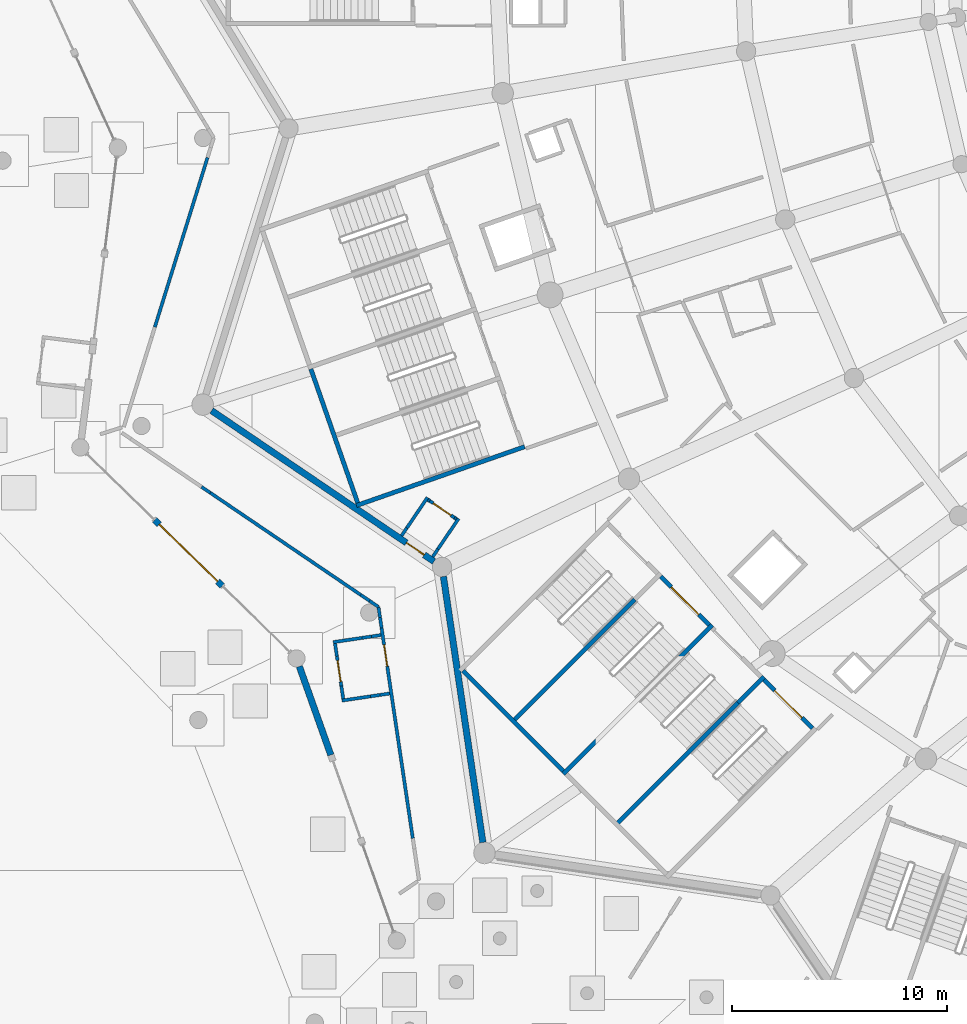
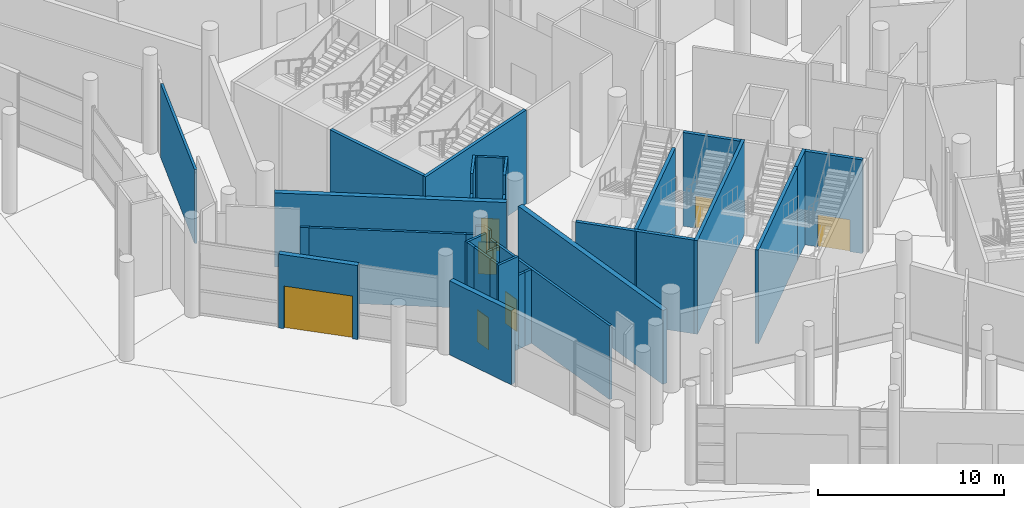
# One storey, part 101 of 255: 37 walls, 7 doors, 7 openings.
"""IFC4 building model written with IfcOpenShell, lengths in metres."""

import ifcopenshell
import ifcopenshell.guid

model = None  # the IFC model being written
_history = None  # IfcOwnerHistory: only IFC2X3 demands one
_inside = {}  # id of a spatial element -> (the spatial element, [elements in it])
_under = {}  # id of a project, library or spatial element -> (it, [spatial elements below it])
_declared = {}  # id of a project -> (the project, [libraries it declares])
_typed = {}  # id of a type object -> (the type object, [elements of that type])
_made_of = {}  # id of a material, layer set ... -> (it, [elements and type objects made of it])


def new_model(schema):
    """Start an empty IFC model of exactly this schema.

    Asked for "IFC4X3", IfcOpenShell would pick the latest addendum, in which some entities
    have other attributes; the version numbers below select the first issue.
    IFC2X3 requires an IfcOwnerHistory on every rooted entity: one is made here for all.
    """
    global model, _history
    if schema == "IFC4X3":
        model = ifcopenshell.file(schema_version=(4, 3, 0, 0))
    else:
        model = ifcopenshell.file(schema=schema)
    _inside.clear()
    _under.clear()
    _declared.clear()
    _typed.clear()
    _made_of.clear()
    _history = None
    if model.schema == "IFC2X3":
        org = make("IfcOrganization", Name="unknown")
        user = make(
            "IfcPersonAndOrganization",
            ThePerson=make("IfcPerson", FamilyName="unknown"),
            TheOrganization=org,
        )
        app = make(
            "IfcApplication",
            ApplicationDeveloper=org,
            Version="unknown",
            ApplicationFullName="unknown",
            ApplicationIdentifier="unknown",
        )
        _history = make(
            "IfcOwnerHistory",
            OwningUser=user,
            OwningApplication=app,
            ChangeAction="ADDED",
            CreationDate=0,
        )
    return model


def make(cls, **values):
    """One entity of the class cls with the attributes given. An attribute that is None is left unset."""
    return model.create_entity(
        cls, **{name: value for name, value in values.items() if value is not None}
    )


def rooted(cls, **values):
    """An entity with a GlobalId (a new one), such as an element, a storey or a relation."""
    return make(cls, GlobalId=ifcopenshell.guid.new(), OwnerHistory=_history, **values)


def si_unit(unit_type, name, prefix=None):
    """IfcSIUnit, for example si_unit("LENGTHUNIT", "METRE", prefix="MILLI")."""
    return make("IfcSIUnit", UnitType=unit_type, Prefix=prefix, Name=name)


def assignment(units):
    """IfcUnitAssignment: the units of a project."""
    return None if units is None else make("IfcUnitAssignment", Units=units)


def point(xyz):
    """IfcCartesianPoint."""
    return None if xyz is None else make("IfcCartesianPoint", Coordinates=xyz)


def direction(xyz):
    """IfcDirection."""
    return None if xyz is None else make("IfcDirection", DirectionRatios=xyz)


def frame(location, z_axis=None, x_axis=None):
    """IfcAxis2Placement3D, a coordinate frame: its origin and axes. An axis left out is left unset."""
    return make(
        "IfcAxis2Placement3D",
        Location=point(location),
        Axis=direction(z_axis),
        RefDirection=direction(x_axis),
    )


def frame_2d(location, x_axis=None):
    """IfcAxis2Placement2D, a coordinate frame in the plane: its origin and x axis."""
    return make(
        "IfcAxis2Placement2D", Location=point(location), RefDirection=direction(x_axis)
    )


def origin():
    """The frame at (0, 0, 0) with its axes left unset."""
    return frame((0.0, 0.0, 0.0))


def place(relative_to, where):
    """IfcLocalPlacement: puts the frame where relative to a parent placement (None: the world)."""
    return make(
        "IfcLocalPlacement", PlacementRelTo=relative_to, RelativePlacement=where
    )


def context(
    kind, dimensions, precision=None, world=None, true_north=None, identifier=None
):
    """IfcGeometricRepresentationContext, for example the 3D "Model" context."""
    return make(
        "IfcGeometricRepresentationContext",
        ContextIdentifier=identifier,
        ContextType=kind,
        CoordinateSpaceDimension=dimensions,
        Precision=precision,
        WorldCoordinateSystem=world,
        TrueNorth=true_north,
    )


def subcontext(parent, identifier, kind, view, scale=None):
    """IfcGeometricRepresentationSubContext, for example "Body" below "Model"."""
    return make(
        "IfcGeometricRepresentationSubContext",
        ContextIdentifier=identifier,
        ContextType=kind,
        ParentContext=parent,
        TargetScale=scale,
        TargetView=view,
    )


def project(units=None, contexts=None):
    """IfcProject with its units and contexts."""
    return rooted(
        "IfcProject",
        Name="project",
        RepresentationContexts=contexts,
        UnitsInContext=assignment(units),
    )


def spatial(cls, under=None, at=None, **own):
    """A site, building, storey or space (cls), placed at a placement, below another one or the project."""
    s = rooted(cls, ObjectPlacement=at, **own)
    if under is not None:
        _under.setdefault(under.id(), (under, []))[1].append(s)
    return s


def profile(cls, at=None, kind="AREA", **sizes):
    """A parametric profile (cls). Its sizes go by their IFC names, for example OverallWidth=200.0."""
    return make(cls, ProfileType=kind, Position=at, **sizes)


def rectangle(**sizes):
    """IfcRectangleProfileDef."""
    return profile("IfcRectangleProfileDef", **sizes)


def extrude(swept, where, along, depth):
    """IfcExtrudedAreaSolid: the profile swept, set in the frame where, extruded along a direction by depth."""
    return make(
        "IfcExtrudedAreaSolid",
        SweptArea=swept,
        Position=where,
        ExtrudedDirection=direction(along),
        Depth=depth,
    )


def shape(context_of_items, identifier, shape_type, items):
    """IfcShapeRepresentation: the items that make up one representation, for example the "Body"."""
    return make(
        "IfcShapeRepresentation",
        ContextOfItems=context_of_items,
        RepresentationIdentifier=identifier,
        RepresentationType=shape_type,
        Items=items,
    )


def material(Name=None, Category=None):
    """IfcMaterial."""
    return make("IfcMaterial", Name=Name, Category=Category)


def layer(
    of_material, thickness, ventilated=None, Name=None, Category=None, Priority=None
):
    """IfcMaterialLayer: one layer of a wall or slab, of a material (None: an air gap)."""
    return make(
        "IfcMaterialLayer",
        Material=of_material,
        LayerThickness=thickness,
        IsVentilated=ventilated,
        Name=Name,
        Category=Category,
        Priority=Priority,
    )


def layer_set(layers, Name=None):
    """IfcMaterialLayerSet."""
    return make("IfcMaterialLayerSet", MaterialLayers=layers, LayerSetName=Name)


def made_of(thing, what):
    """Note that an element or type object is made of a material, layer set ...; save() writes the relation."""
    if what is not None:
        _made_of.setdefault(what.id(), (what, []))[1].append(thing)
    return thing


def type_object(cls, material=None, **own):
    """A type object (cls), such as IfcWallType, which elements share."""
    return made_of(rooted(cls, **own), material)


def element(
    cls,
    number,
    at=None,
    inside=None,
    cuts=None,
    type_object=None,
    material=None,
    context=None,
    identifier="Body",
    shape_type=None,
    held_by="IfcProductDefinitionShape",
    body=None,
    shapes=None,
    **own,
):
    """One element of the class cls, such as IfcWall. Its Tag is "e" and its number.

    at: its placement. inside: the storey or other place that contains it. cuts: it is an
    opening in that element (IfcRelVoidsElement). A single representation is given by context,
    identifier, shape_type and body (its items); several are given by shapes. held_by: the class
    of the entity that holds the representations. save() writes the other relations.
    """
    e = rooted(cls, Tag="e%d" % number, ObjectPlacement=at, **own)
    if body is not None:
        shapes = [shape(context, identifier, shape_type, body)]
    if shapes is not None:
        e.Representation = make(held_by, Representations=shapes)
    if inside is not None:
        _inside.setdefault(inside.id(), (inside, []))[1].append(e)
    if cuts is not None:
        rooted(
            "IfcRelVoidsElement", RelatingBuildingElement=cuts, RelatedOpeningElement=e
        )
    if type_object is not None:
        _typed.setdefault(type_object.id(), (type_object, []))[1].append(e)
    return made_of(e, material)


def fill(opening, filler):
    """IfcRelFillsElement: the door or window that sits in an opening."""
    return rooted(
        "IfcRelFillsElement",
        RelatingOpeningElement=opening,
        RelatedBuildingElement=filler,
    )


def aggregate(whole, parts):
    """IfcRelAggregates: a whole, such as a stair, and the parts it consists of."""
    return rooted("IfcRelAggregates", RelatingObject=whole, RelatedObjects=parts)


def save(model, path):
    """Write the relations noted so far, then the file.

    IfcRelAggregates (storeys below a building ...), IfcRelContainedInSpatialStructure (elements
    in a storey), IfcRelDefinesByType, IfcRelAssociatesMaterial and IfcRelDeclares: one each for
    every whole, place, type object, material and project.
    """
    for whole, parts in _under.values():
        aggregate(whole, parts)
    for where, things in _inside.values():
        rooted(
            "IfcRelContainedInSpatialStructure",
            RelatedElements=things,
            RelatingStructure=where,
        )
    for kind, things in _typed.values():
        rooted("IfcRelDefinesByType", RelatedObjects=things, RelatingType=kind)
    for what, things in _made_of.values():
        rooted("IfcRelAssociatesMaterial", RelatedObjects=things, RelatingMaterial=what)
    for by, libraries in _declared.values():
        rooted("IfcRelDeclares", RelatingContext=by, RelatedDefinitions=libraries)
    model.write(path)


model = new_model("IFC4")

# Units and contexts
model_context = context("Model", 3, precision=1e-05, world=origin(), true_north=direction((0.0, 1.0)))
body_context = subcontext(model_context, "Body", "Model", "MODEL_VIEW")
ifc_project = project(units=[si_unit("LENGTHUNIT", "METRE"), si_unit("AREAUNIT", "SQUARE_METRE"), si_unit("VOLUMEUNIT", "CUBIC_METRE"), si_unit("PLANEANGLEUNIT", "RADIAN"), si_unit("MASSUNIT", "GRAM", prefix="KILO")], contexts=[model_context])

# Site, building, storey
site_placement = place(None, origin())
site = spatial("IfcSite", under=ifc_project, at=site_placement, CompositionType="ELEMENT")
building_placement = place(site_placement, origin())
building = spatial("IfcBuilding", under=site, at=building_placement, Name="Meseta Stadium", CompositionType="ELEMENT")
storey_placement = place(building_placement, origin())
storey = spatial("IfcBuildingStorey", under=building, at=storey_placement, Name="L00", CompositionType="ELEMENT", Elevation=0.0)

# Walls
ifc_material_1 = material(Name="Concrete C40/50", Category="concrete")
ifc_layer_1 = layer(ifc_material_1, 0.199951171875)
ifc_layer_set_1 = layer_set([ifc_layer_1], Name="Core divider wall 200")
wall_type_1 = type_object("IfcWallType", Name="Core divider wall 200", PredefinedType="SHEAR", material=ifc_layer_set_1)
for number, where, z_axis, x_axis, name in (
    (1, (-83.90087890625, -83.092529296875, 0.0), (0.0, 0.0, 1.0), (0.707106781187, 0.707106781187, 0.0), "Core 21 L00 stair A divider wall"),
    (2, (-79.092529296875, -87.90087890625, 0.0), (0.0, 0.0, 1.0), (0.707106781187, 0.707106781187, 0.0), "Core 21 L00 stair B divider wall"),
):
    element("IfcWall", number, at=place(storey_placement, frame(where, z_axis=z_axis, x_axis=x_axis)), inside=storey, type_object=wall_type_1, Name=name, PredefinedType="SHEAR", context=body_context, shape_type="SweptSolid", body=[
        extrude(rectangle(XDim=8.099853515625, YDim=0.199951171875, at=frame_2d((4.0498046875, 0.0))), origin(), (0.0, 0.0, 1.0), 6.14990234375),
    ])
wall_1_placement = place(storey_placement, frame((-73.364990234375, -82.17333984375, 0.0), z_axis=(0.0, 0.0, 1.0), x_axis=(0.707034968179, 0.707178586901, 0.0)))
element("IfcWall", 3, at=wall_1_placement, inside=storey, type_object=wall_type_1, Name="Core 21 L00 stair B divider wall", PredefinedType="SHEAR", context=body_context, shape_type="SweptSolid", body=[
    extrude(rectangle(XDim=1.699951171875, YDim=0.199951171875, at=frame_2d((0.85009765625, 0.0))), origin(), (0.0, 0.0, 1.0), 6.14990234375),
])
ifc_material_2 = material(Name="Concrete C40/50", Category="concrete")
ifc_layer_2 = layer(ifc_material_2, 0.199951171875)
ifc_layer_set_2 = layer_set([ifc_layer_2], Name="Core shaft wall 200")
wall_type_2 = type_object("IfcWallType", Name="Core shaft wall 200", PredefinedType="SHEAR", material=ifc_layer_set_2)
wall_2_placement = place(storey_placement, frame((-91.136962890625, -72.998291015625, 0.0), z_axis=(0.0, 0.0, 1.0), x_axis=(0.943887243331, 0.330267878966, 0.0)))
element("IfcWall", 4, at=wall_2_placement, inside=storey, type_object=wall_type_2, Name="Core 20 L00 stair wall B-side", PredefinedType="SHEAR", context=body_context, shape_type="SweptSolid", body=[
    extrude(rectangle(XDim=8.300048828125, YDim=0.199951171875, at=frame_2d((4.14990234375, 0.0))), origin(), (0.0, 0.0, 1.0), 6.14990234375),
])
wall_3_placement = place(storey_placement, frame((-93.255615234375, -66.641357421875, 0.0), z_axis=(0.0, 0.0, 1.0), x_axis=(0.330286164688, -0.943880844925, 0.0)))
element("IfcWall", 5, at=wall_3_placement, inside=storey, type_object=wall_type_2, Name="Core 20 L00 stair B outer end wall", PredefinedType="SHEAR", context=body_context, shape_type="SweptSolid", body=[
    extrude(rectangle(XDim=6.60009765625, YDim=0.199951171875, at=frame_2d((3.300048828125, 0.0))), origin(), (0.0, 0.0, 1.0), 6.14990234375),
])
wall_4_placement = place(storey_placement, frame((-81.496826171875, -85.496826171875, 0.0), z_axis=(0.0, 0.0, 1.0), x_axis=(0.707106781187, 0.707106781187, 0.0)))
element("IfcWall", 6, at=wall_4_placement, inside=storey, type_object=wall_type_2, Name="Core 21 L00 stair wall shared", PredefinedType="SHEAR", context=body_context, shape_type="SweptSolid", body=[
    extrude(rectangle(XDim=9.800048828125, YDim=0.199951171875, at=frame_2d((4.89990234375, 0.0))), origin(), (0.0, 0.0, 1.0), 6.14990234375),
])
wall_5_placement = place(storey_placement, frame((-86.163818359375, -80.6884765625, 0.0), z_axis=(0.0, 0.0, 1.0), x_axis=(0.707125276584, -0.707088285305, 0.0)))
element("IfcWall", 7, at=wall_5_placement, inside=storey, type_object=wall_type_2, Name="Core 21 L00 stair A outer end wall", PredefinedType="SHEAR", context=body_context, shape_type="SweptSolid", body=[
    extrude(rectangle(XDim=6.599853515625, YDim=0.199951171875, at=frame_2d((3.2998046875, 0.0))), origin(), (0.0, 0.0, 1.0), 6.14990234375),
])

# Wall, opening, door
wall_6_placement = place(storey_placement, frame((-76.97119140625, -76.304443359375, 0.0), z_axis=(0.0, 0.0, 1.0), x_axis=(0.707106781187, -0.707106781187, 0.0)))
wall_6 = element("IfcWall", 8, at=wall_6_placement, inside=storey, type_object=wall_type_2, Name="Core 21 L00 stair A2 inner end wall", PredefinedType="SHEAR", context=body_context, shape_type="SweptSolid", body=[
    extrude(rectangle(XDim=3.199951171875, YDim=0.199951171875, at=frame_2d((1.60009765625, 0.0))), origin(), (0.0, 0.0, 1.0), 6.14990234375),
])
opening_1_placement = place(wall_6_placement, frame((0.699951171875, 0.0, 0.0)))
opening_1 = element("IfcOpeningElement", 9, at=opening_1_placement, cuts=wall_6, Name="Opening D286", PredefinedType="OPENING", context=body_context, shape_type="SweptSolid", body=[
    extrude(rectangle(XDim=1.800048828125, YDim=2.10009765625, at=frame_2d((0.89990234375, 1.050048828125))), frame((0.0, 0.10986328125, 0.0), z_axis=(0.0, -1.0, 0.0), x_axis=(1.0, 0.0, 0.0)), (0.0, 0.0, 1.0), 0.219970703125),
])
ifc_material_3 = material(Name="Steel", Category="steel")
door_type_1 = type_object("IfcDoorType", Name="Stair door 1800x2100", OperationType="DOUBLE_DOOR_SINGLE_SWING", PredefinedType="DOOR", material=ifc_material_3)
door_1_placement = place(opening_1_placement, origin())
door_1 = element("IfcDoor", 10, at=door_1_placement, inside=storey, type_object=door_type_1, Name="Stair A2 door 21 L00", OperationType="DOUBLE_DOOR_SINGLE_SWING", OverallHeight=2.10009765625, OverallWidth=1.800048828125, PredefinedType="DOOR", context=body_context, shape_type="SweptSolid", body=[
    extrude(rectangle(XDim=1.800048828125, YDim=2.10009765625, at=frame_2d((0.89990234375, 1.050048828125))), frame((0.0, 0.02490234375, 0.0), z_axis=(0.0, -1.0, 0.0), x_axis=(1.0, 0.0, 0.0)), (0.0, 0.0, 1.0), 0.050048828125),
])
fill(opening_1, door_1)

wall_7_placement = place(storey_placement, frame((-72.1630859375, -81.11279296875, 0.0), z_axis=(0.0, 0.0, 1.0), x_axis=(0.707144925854, -0.707068634461, 0.0)))
wall_7 = element("IfcWall", 11, at=wall_7_placement, inside=storey, type_object=wall_type_2, Name="Core 21 L00 stair B2 inner end wall", PredefinedType="SHEAR", context=body_context, shape_type="SweptSolid", body=[
    extrude(rectangle(XDim=3.2001953125, YDim=0.199951171875, at=frame_2d((1.60009765625, 0.0))), origin(), (0.0, 0.0, 1.0), 6.14990234375),
])
opening_2_placement = place(wall_7_placement, frame((0.699951171875, 0.0, 0.0)))
opening_2 = element("IfcOpeningElement", 12, at=opening_2_placement, cuts=wall_7, Name="Opening D288", PredefinedType="OPENING", context=body_context, shape_type="SweptSolid", body=[
    extrude(rectangle(XDim=1.800048828125, YDim=2.10009765625, at=frame_2d((0.89990234375, 1.050048828125))), frame((0.0, 0.10986328125, 0.0), z_axis=(0.0, -1.0, 0.0), x_axis=(1.0, 0.0, 0.0)), (0.0, 0.0, 1.0), 0.219970703125),
])
door_2_placement = place(opening_2_placement, origin())
door_2 = element("IfcDoor", 13, at=door_2_placement, inside=storey, type_object=door_type_1, Name="Stair B2 door 21 L00", OperationType="DOUBLE_DOOR_SINGLE_SWING", OverallHeight=2.10009765625, OverallWidth=1.800048828125, PredefinedType="DOOR", context=body_context, shape_type="SweptSolid", body=[
    extrude(rectangle(XDim=1.800048828125, YDim=2.10009765625, at=frame_2d((0.89990234375, 1.050048828125))), frame((0.0, 0.02490234375, 0.0), z_axis=(0.0, -1.0, 0.0), x_axis=(1.0, 0.0, 0.0)), (0.0, 0.0, 1.0), 0.050048828125),
])
fill(opening_2, door_2)

# Walls
ifc_material_4 = material(Name="Masonry blockwork", Category="masonry")
ifc_layer_3 = layer(ifc_material_4, 0.14990234375)
ifc_layer_set_3 = layer_set([ifc_layer_3], Name="Partition 150")
wall_type_3 = type_object("IfcWallType", Name="Partition 150", PredefinedType="PARTITIONING", material=ifc_layer_set_3)
wall_8_placement = place(storey_placement, frame((-98.0673828125, -56.79833984375, 0.0), z_axis=(0.0, 0.0, 1.0), x_axis=(-0.296868424056, -0.95491839379, 0.0)))
element("IfcWall", 14, at=wall_8_placement, inside=storey, type_object=wall_type_3, Name="Partition L00 L00-ring18-0", PredefinedType="PARTITIONING", context=body_context, shape_type="SweptSolid", body=[
    extrude(rectangle(XDim=8.26416015625, YDim=0.14990234375, at=frame_2d((4.132080078125, 0.0))), origin(), (0.0, 0.0, 1.0), 4.85009765625),
])
wall_9_placement = place(storey_placement, frame((-98.34521484375, -72.1279296875, 0.0), z_axis=(0.0, 0.0, 1.0), x_axis=(0.827492062667, -0.561477413814, 0.0)))
element("IfcWall", 15, at=wall_9_placement, inside=storey, type_object=wall_type_3, Name="Partition L00 L00-ring19-0", PredefinedType="PARTITIONING", context=body_context, shape_type="SweptSolid", body=[
    extrude(rectangle(XDim=0.497314453125, YDim=0.14990234375, at=frame_2d((0.24853515625, 0.0))), origin(), (0.0, 0.0, 1.0), 4.85009765625),
])
wall_10_placement = place(storey_placement, frame((-97.93359375, -72.4072265625, 0.0), z_axis=(0.0, 0.0, 1.0), x_axis=(0.827484873178, -0.561488009366, 0.0)))
element("IfcWall", 16, at=wall_10_placement, inside=storey, type_object=wall_type_3, Name="Partition L00 L00-ring19-0", PredefinedType="PARTITIONING", context=body_context, shape_type="SweptSolid", body=[
    extrude(rectangle(XDim=8.459716796875, YDim=0.14990234375, at=frame_2d((4.22998046875, 0.0))), origin(), (0.0, 0.0, 1.0), 4.85009765625),
])
wall_11_placement = place(storey_placement, frame((-90.933349609375, -77.1572265625, 0.0), z_axis=(0.0, 0.0, 1.0), x_axis=(0.827646697141, -0.561249449632, 0.0)))
element("IfcWall", 17, at=wall_11_placement, inside=storey, type_object=wall_type_3, Name="Partition L00 L00-ring19-0", PredefinedType="PARTITIONING", context=body_context, shape_type="SweptSolid", body=[
    extrude(rectangle(XDim=0.49755859375, YDim=0.14990234375, at=frame_2d((0.248779296875, 0.0))), origin(), (0.0, 0.0, 1.0), 4.85009765625),
])
wall_12_placement = place(storey_placement, frame((-90.521484375, -77.4365234375, 0.0), z_axis=(0.0, 0.0, 1.0), x_axis=(0.827264021837, -0.561813348163, 0.0)))
element("IfcWall", 18, at=wall_12_placement, inside=storey, type_object=wall_type_3, Name="Partition L00 L00-ring19-0", PredefinedType="PARTITIONING", context=body_context, shape_type="SweptSolid", body=[
    extrude(rectangle(XDim=0.49755859375, YDim=0.14990234375, at=frame_2d((0.248779296875, 0.0))), origin(), (0.0, 0.0, 1.0), 5.39990234375),
])
wall_13_placement = place(storey_placement, frame((-90.10986328125, -77.716064453125, 0.0), z_axis=(0.0, 0.0, 1.0), x_axis=(0.146941800407, -0.98914513965, 0.0)))
element("IfcWall", 19, at=wall_13_placement, inside=storey, type_object=wall_type_3, Name="Partition L00 L00-ring19-0", PredefinedType="PARTITIONING", context=body_context, shape_type="SweptSolid", body=[
    extrude(rectangle(XDim=0.4951171875, YDim=0.14990234375, at=frame_2d((0.24755859375, 0.0))), origin(), (0.0, 0.0, 1.0), 5.39990234375),
])
wall_14_placement = place(storey_placement, frame((-90.037109375, -78.205810546875, 0.0), z_axis=(0.0, 0.0, 1.0), x_axis=(0.146941800407, -0.98914513965, 0.0)))
element("IfcWall", 20, at=wall_14_placement, inside=storey, type_object=wall_type_3, Name="Partition L00 L00-ring19-0", PredefinedType="PARTITIONING", context=body_context, shape_type="SweptSolid", body=[
    extrude(rectangle(XDim=0.4951171875, YDim=0.14990234375, at=frame_2d((0.24755859375, 0.0))), origin(), (0.0, 0.0, 1.0), 4.85009765625),
])

# Wall, opening, door
wall_15_placement = place(storey_placement, frame((-89.96435546875, -78.695556640625, 0.0), z_axis=(0.0, 0.0, 1.0), x_axis=(0.146856053472, -0.98915787393, 0.0)))
wall_15 = element("IfcWall", 21, at=wall_15_placement, inside=storey, type_object=wall_type_3, Name="Partition L00 L00-ring19-0", PredefinedType="PARTITIONING", context=body_context, shape_type="SweptSolid", body=[
    extrude(rectangle(XDim=9.901611328125, YDim=0.14990234375, at=frame_2d((4.95068359375, 0.0))), origin(), (0.0, 0.0, 1.0), 4.85009765625),
])
opening_3_placement = place(wall_15_placement, frame((0.800048828125, 0.0, 0.0)))
opening_3 = element("IfcOpeningElement", 22, at=opening_3_placement, cuts=wall_15, Name="Opening D631", PredefinedType="OPENING", context=body_context, shape_type="SweptSolid", body=[
    extrude(rectangle(XDim=1.0, YDim=2.10009765625, at=frame_2d((0.5, 1.050048828125))), frame((0.0, 0.0849609375, 0.0), z_axis=(0.0, -1.0, 0.0), x_axis=(1.0, 0.0, 0.0)), (0.0, 0.0, 1.0), 0.169921875),
])
ifc_material_5 = material(Name="Steel", Category="steel")
door_type_2 = type_object("IfcDoorType", Name="Fire door 1000x2100 EI2 60", OperationType="NOTDEFINED", PredefinedType="DOOR", material=ifc_material_5)
door_3_placement = place(opening_3_placement, origin())
door_3 = element("IfcDoor", 23, at=door_3_placement, inside=storey, type_object=door_type_2, Name="Door D631", OperationType="SINGLE_SWING_LEFT", OverallHeight=2.10009765625, OverallWidth=1.0, PredefinedType="DOOR", context=body_context, shape_type="SweptSolid", body=[
    extrude(rectangle(XDim=1.0, YDim=2.10009765625, at=frame_2d((0.5, 1.050048828125))), frame((0.0, 0.02490234375, 0.0), z_axis=(0.0, -1.0, 0.0), x_axis=(1.0, 0.0, 0.0)), (0.0, 0.0, 1.0), 0.050048828125),
])
fill(opening_3, door_3)

# Walls
wall_16_placement = place(storey_placement, frame((-87.58349609375, -75.3818359375, 0.0), z_axis=(0.0, 0.0, 1.0), x_axis=(0.560973683664, 0.827833634395, 0.0)))
element("IfcWall", 24, at=wall_16_placement, inside=storey, type_object=wall_type_3, Name="Partition L00 L00-cell19-2-0 vestibule", PredefinedType="PARTITIONING", context=body_context, shape_type="SweptSolid", body=[
    extrude(rectangle(XDim=0.429931640625, YDim=0.14990234375, at=frame_2d((0.21484375, 0.0))), origin(), (0.0, 0.0, 1.0), 4.85009765625),
])
wall_17_placement = place(storey_placement, frame((-87.34228515625, -75.02587890625, 0.0), z_axis=(0.0, 0.0, 1.0), x_axis=(0.561560429092, 0.827435728306, 0.0)))
element("IfcWall", 25, at=wall_17_placement, inside=storey, type_object=wall_type_3, Name="Partition L00 L00-cell19-2-0 vestibule", PredefinedType="PARTITIONING", context=body_context, shape_type="SweptSolid", body=[
    extrude(rectangle(XDim=1.719970703125, YDim=0.14990234375, at=frame_2d((0.85986328125, 0.0))), origin(), (0.0, 0.0, 1.0), 6.14990234375),
])
wall_18_placement = place(storey_placement, frame((-89.03173828125, -74.399169921875, 0.0), z_axis=(0.0, 0.0, 1.0), x_axis=(0.561626393588, 0.827390955973, 0.0)))
element("IfcWall", 26, at=wall_18_placement, inside=storey, type_object=wall_type_3, Name="Partition L00 L00-cell19-2-0 vestibule", PredefinedType="PARTITIONING", context=body_context, shape_type="SweptSolid", body=[
    extrude(rectangle(XDim=0.429931640625, YDim=0.14990234375, at=frame_2d((0.21484375, 0.0))), origin(), (0.0, 0.0, 1.0), 4.85009765625),
])
wall_19_placement = place(storey_placement, frame((-88.790283203125, -74.04345703125, 0.0), z_axis=(0.0, 0.0, 1.0), x_axis=(0.561494476523, 0.827480484866, 0.0)))
element("IfcWall", 27, at=wall_19_placement, inside=storey, type_object=wall_type_3, Name="Partition L00 L00-cell19-2-0 vestibule", PredefinedType="PARTITIONING", context=body_context, shape_type="SweptSolid", body=[
    extrude(rectangle(XDim=1.719970703125, YDim=0.14990234375, at=frame_2d((0.85986328125, 0.0))), origin(), (0.0, 0.0, 1.0), 6.14990234375),
])
wall_20_placement = place(storey_placement, frame((-86.480712890625, -73.62255859375, 0.0), z_axis=(0.0, 0.0, 1.0), x_axis=(-0.826744481423, 0.562577605702, 0.0)))
element("IfcWall", 28, at=wall_20_placement, inside=storey, type_object=wall_type_3, Name="Partition L00 L00-cell19-2-0 vestibule", PredefinedType="PARTITIONING", context=body_context, shape_type="SweptSolid", body=[
    extrude(rectangle(XDim=0.099853515625, YDim=0.14990234375, at=frame_2d((0.0498046875, 0.0))), origin(), (0.0, 0.0, 1.0), 6.14990234375),
])

# Wall, opening, door
wall_21_placement = place(storey_placement, frame((-86.563232421875, -73.56640625, 0.0), z_axis=(0.0, 0.0, 1.0), x_axis=(-0.827542331128, 0.561403322213, 0.0)))
wall_21 = element("IfcWall", 29, at=wall_21_placement, inside=storey, type_object=wall_type_3, Name="Partition L00 L00-cell19-2-0 vestibule", PredefinedType="PARTITIONING", context=body_context, shape_type="SweptSolid", body=[
    extrude(rectangle(XDim=1.39990234375, YDim=0.14990234375, at=frame_2d((0.699951171875, 0.0))), origin(), (0.0, 0.0, 1.0), 6.14990234375),
])
opening_4_placement = place(wall_21_placement, frame((0.199951171875, 0.0, 0.0)))
opening_4 = element("IfcOpeningElement", 30, at=opening_4_placement, cuts=wall_21, Name="Opening D856", PredefinedType="OPENING", context=body_context, shape_type="SweptSolid", body=[
    extrude(rectangle(XDim=1.0, YDim=2.10009765625, at=frame_2d((0.5, 1.050048828125))), frame((0.0, 0.0849609375, 0.0), z_axis=(0.0, -1.0, 0.0), x_axis=(1.0, 0.0, 0.0)), (0.0, 0.0, 1.0), 0.169921875),
])
door_4_placement = place(opening_4_placement, origin())
door_4 = element("IfcDoor", 31, at=door_4_placement, inside=storey, type_object=door_type_2, Name="Vestibule door L00 L00-cell19-2-0", OperationType="SINGLE_SWING_LEFT", OverallHeight=2.10009765625, OverallWidth=1.0, PredefinedType="DOOR", context=body_context, shape_type="SweptSolid", body=[
    extrude(rectangle(XDim=1.0, YDim=2.10009765625, at=frame_2d((0.5, 1.050048828125))), frame((0.0, 0.02490234375, 0.0), z_axis=(0.0, -1.0, 0.0), x_axis=(1.0, 0.0, 0.0)), (0.0, 0.0, 1.0), 0.050048828125),
])
fill(opening_4, door_4)

# Walls
wall_22_placement = place(storey_placement, frame((-87.7216796875, -72.780517578125, 0.0), z_axis=(0.0, 0.0, 1.0), x_axis=(-0.828283413128, 0.560309367704, 0.0)))
element("IfcWall", 32, at=wall_22_placement, inside=storey, type_object=wall_type_3, Name="Partition L00 L00-cell19-2-0 vestibule", PredefinedType="PARTITIONING", context=body_context, shape_type="SweptSolid", body=[
    extrude(rectangle(XDim=0.10009765625, YDim=0.14990234375, at=frame_2d((0.050048828125, 0.0))), origin(), (0.0, 0.0, 1.0), 6.14990234375),
])
for number, where, z_axis, x_axis, name in (
    (33, (-89.990966796875, -79.028076171875, 0.0), (0.0, 0.0, 1.0), (-0.989209288441, -0.14650932961, 0.0), "Partition L00 L00-ring19-0 vestibule"),
    (34, (-90.43603515625, -79.093994140625, 0.0), (0.0, 0.0, 1.0), (-0.98913051014, -0.147040245885, 0.0), "Partition L00 L00-ring19-0 vestibule"),
):
    element("IfcWall", number, at=place(storey_placement, frame(where, z_axis=z_axis, x_axis=x_axis)), inside=storey, type_object=wall_type_3, Name=name, PredefinedType="PARTITIONING", context=body_context, shape_type="SweptSolid", body=[
        extrude(rectangle(XDim=0.449951171875, YDim=0.14990234375, at=frame_2d((0.22509765625, 0.0))), origin(), (0.0, 0.0, 1.0), 4.85009765625),
    ])
wall_23_placement = place(storey_placement, frame((-90.881103515625, -79.16015625, 0.0), z_axis=(0.0, 0.0, 1.0), x_axis=(-0.989160699863, -0.146837017969, 0.0)))
element("IfcWall", 35, at=wall_23_placement, inside=storey, type_object=wall_type_3, Name="Partition L00 L00-ring19-0 vestibule", PredefinedType="PARTITIONING", context=body_context, shape_type="SweptSolid", body=[
    extrude(rectangle(XDim=1.35009765625, YDim=0.14990234375, at=frame_2d((0.675048828125, 0.0))), origin(), (0.0, 0.0, 1.0), 6.10009765625),
])
wall_24_placement = place(storey_placement, frame((-89.5869140625, -81.748291015625, 0.0), z_axis=(0.0, 0.0, 1.0), x_axis=(-0.989209288441, -0.14650932961, 0.0)))
element("IfcWall", 36, at=wall_24_placement, inside=storey, type_object=wall_type_3, Name="Partition L00 L00-ring19-0 vestibule", PredefinedType="PARTITIONING", context=body_context, shape_type="SweptSolid", body=[
    extrude(rectangle(XDim=0.449951171875, YDim=0.14990234375, at=frame_2d((0.22509765625, 0.0))), origin(), (0.0, 0.0, 1.0), 4.85009765625),
])
wall_25_placement = place(storey_placement, frame((-90.031982421875, -81.814208984375, 0.0), z_axis=(0.0, 0.0, 1.0), x_axis=(-0.98914223182, -0.146961373258, 0.0)))
element("IfcWall", 37, at=wall_25_placement, inside=storey, type_object=wall_type_3, Name="Partition L00 L00-ring19-0 vestibule", PredefinedType="PARTITIONING", context=body_context, shape_type="SweptSolid", body=[
    extrude(rectangle(XDim=0.4501953125, YDim=0.14990234375, at=frame_2d((0.22509765625, 0.0))), origin(), (0.0, 0.0, 1.0), 4.85009765625),
])
wall_26_placement = place(storey_placement, frame((-90.477294921875, -81.88037109375, 0.0), z_axis=(0.0, 0.0, 1.0), x_axis=(-0.98915679984, -0.14686328789, 0.0)))
element("IfcWall", 38, at=wall_26_placement, inside=storey, type_object=wall_type_3, Name="Partition L00 L00-ring19-0 vestibule", PredefinedType="PARTITIONING", context=body_context, shape_type="SweptSolid", body=[
    extrude(rectangle(XDim=1.349853515625, YDim=0.14990234375, at=frame_2d((0.6748046875, 0.0))), origin(), (0.0, 0.0, 1.0), 6.10009765625),
])
wall_27_placement = place(storey_placement, frame((-92.13134765625, -79.421630859375, 0.0), z_axis=(0.0, 0.0, 1.0), x_axis=(0.146887819725, -0.989153157209, 0.0)))
element("IfcWall", 39, at=wall_27_placement, inside=storey, type_object=wall_type_3, Name="Partition L00 L00-ring19-0 vestibule", PredefinedType="PARTITIONING", context=body_context, shape_type="SweptSolid", body=[
    extrude(rectangle(XDim=0.60009765625, YDim=0.14990234375, at=frame_2d((0.300048828125, 0.0))), origin(), (0.0, 0.0, 1.0), 6.10009765625),
])

# Wall, opening, door
wall_28_placement = place(storey_placement, frame((-92.043212890625, -80.01513671875, 0.0), z_axis=(0.0, 0.0, 1.0), x_axis=(0.146839388744, -0.989160347928, 0.0)))
wall_28 = element("IfcWall", 40, at=wall_28_placement, inside=storey, type_object=wall_type_3, Name="Partition L00 L00-ring19-0 vestibule", PredefinedType="PARTITIONING", context=body_context, shape_type="SweptSolid", body=[
    extrude(rectangle(XDim=1.39990234375, YDim=0.14990234375, at=frame_2d((0.699951171875, 0.0))), origin(), (0.0, 0.0, 1.0), 6.10009765625),
])
opening_5_placement = place(wall_28_placement, frame((0.199951171875, 0.0, 0.0)))
opening_5 = element("IfcOpeningElement", 41, at=opening_5_placement, cuts=wall_28, Name="Opening D881", PredefinedType="OPENING", context=body_context, shape_type="SweptSolid", body=[
    extrude(rectangle(XDim=1.0, YDim=2.10009765625, at=frame_2d((0.5, 1.050048828125))), frame((0.0, 0.0849609375, 0.0), z_axis=(0.0, -1.0, 0.0), x_axis=(1.0, 0.0, 0.0)), (0.0, 0.0, 1.0), 0.169921875),
])
door_5_placement = place(opening_5_placement, origin())
door_5 = element("IfcDoor", 42, at=door_5_placement, inside=storey, type_object=door_type_2, Name="Vestibule door L00 L00-ring19-0", OperationType="SINGLE_SWING_RIGHT", OverallHeight=2.10009765625, OverallWidth=1.0, PredefinedType="DOOR", context=body_context, shape_type="SweptSolid", body=[
    extrude(rectangle(XDim=1.0, YDim=2.10009765625, at=frame_2d((0.5, 1.050048828125))), frame((0.0, 0.02490234375, 0.0), z_axis=(0.0, -1.0, 0.0), x_axis=(1.0, 0.0, 0.0)), (0.0, 0.0, 1.0), 0.050048828125),
])
fill(opening_5, door_5)

# Wall
wall_29_placement = place(storey_placement, frame((-91.837646484375, -81.39990234375, 0.0), z_axis=(0.0, 0.0, 1.0), x_axis=(0.146887819725, -0.989153157209, 0.0)))
element("IfcWall", 43, at=wall_29_placement, inside=storey, type_object=wall_type_3, Name="Partition L00 L00-ring19-0 vestibule", PredefinedType="PARTITIONING", context=body_context, shape_type="SweptSolid", body=[
    extrude(rectangle(XDim=0.60009765625, YDim=0.14990234375, at=frame_2d((0.300048828125, 0.0))), origin(), (0.0, 0.0, 1.0), 6.10009765625),
])

# Wall, opening, door
ifc_material_6 = material(Name="White precast concrete C40/50", Category="concrete")
ifc_layer_4 = layer(ifc_material_6, 0.300048828125)
ifc_layer_set_4 = layer_set([ifc_layer_4], Name="Pleated panel wall 300 concourse")
wall_type_4 = type_object("IfcWallType", Name="Pleated panel wall 300 concourse", PredefinedType="SOLIDWALL", material=ifc_layer_set_4)
wall_30_placement = place(storey_placement, frame((-87.52294921875, -75.604248046875, 0.0), z_axis=(0.0, 0.0, 1.0), x_axis=(-0.827480954447, 0.561493784496, 0.0)))
wall_30 = element("IfcWall", 44, at=wall_30_placement, inside=storey, type_object=wall_type_4, Name="Pleated facade panel L00 F38", PredefinedType="SOLIDWALL", context=body_context, shape_type="SweptSolid", body=[
    extrude(rectangle(XDim=12.51318359375, YDim=0.300048828125, at=frame_2d((6.256591796875, 0.0))), origin(), (0.0, 0.0, 1.0), 4.85009765625),
])
opening_6_placement = place(wall_30_placement, frame((0.550048828125, 0.0, 0.0)))
opening_6 = element("IfcOpeningElement", 45, at=opening_6_placement, cuts=wall_30, Name="Opening D592", PredefinedType="OPENING", context=body_context, shape_type="SweptSolid", body=[
    extrude(rectangle(XDim=1.0, YDim=2.10009765625, at=frame_2d((0.5, 1.050048828125))), frame((0.0, 0.159912109375, 0.0), z_axis=(0.0, -1.0, 0.0), x_axis=(1.0, 0.0, 0.0)), (0.0, 0.0, 1.0), 0.320068359375),
])
door_6_placement = place(opening_6_placement, origin())
door_6 = element("IfcDoor", 46, at=door_6_placement, inside=storey, type_object=door_type_2, Name="Door D592", OperationType="SINGLE_SWING_LEFT", OverallHeight=2.10009765625, OverallWidth=1.0, PredefinedType="DOOR", context=body_context, shape_type="SweptSolid", body=[
    extrude(rectangle(XDim=1.0, YDim=2.10009765625, at=frame_2d((0.5, 1.050048828125))), frame((0.0, 0.02490234375, 0.0), z_axis=(0.0, -1.0, 0.0), x_axis=(1.0, 0.0, 0.0)), (0.0, 0.0, 1.0), 0.050048828125),
])
fill(opening_6, door_6)

# Wall
wall_31_placement = place(storey_placement, frame((-85.2470703125, -88.6796875, 0.0), z_axis=(0.0, 0.0, 1.0), x_axis=(-0.14684632149, 0.989159318747, 0.0)))
element("IfcWall", 47, at=wall_31_placement, inside=storey, type_object=wall_type_4, Name="Pleated facade panel L00 F39", PredefinedType="SOLIDWALL", context=body_context, shape_type="SweptSolid", body=[
    extrude(rectangle(XDim=12.51416015625, YDim=0.300048828125, at=frame_2d((6.257080078125, 0.0))), origin(), (0.0, 0.0, 1.0), 4.85009765625),
])

# Wall, opening, door
ifc_material_7 = material(Name="Precast concrete C40/50", Category="concrete")
ifc_layer_5 = layer(ifc_material_7, 0.300048828125)
ifc_layer_set_5 = layer_set([ifc_layer_5], Name="Ring facade panel wall 300")
wall_type_5 = type_object("IfcWallType", Name="Ring facade panel wall 300", PredefinedType="SOLIDWALL", material=ifc_layer_set_5)
wall_32_placement = place(storey_placement, frame((-97.3828125, -76.73876953125, 0.0), z_axis=(0.0, 0.0, 1.0), x_axis=(-0.715709564576, 0.69839803778, 0.0)))
wall_32 = element("IfcWall", 48, at=wall_32_placement, inside=storey, type_object=wall_type_5, Name="Ring facade panel wall F38", PredefinedType="SOLIDWALL", context=body_context, shape_type="SweptSolid", body=[
    extrude(rectangle(XDim=4.400146484375, YDim=0.300048828125, at=frame_2d((2.2001953125, 0.0))), origin(), (0.0, 0.0, 1.0), 4.85009765625),
])
opening_7_placement = place(wall_32_placement, frame((0.300048828125, 0.0, 0.0)))
opening_7 = element("IfcOpeningElement", 49, at=opening_7_placement, cuts=wall_32, Name="Opening D960", PredefinedType="OPENING", context=body_context, shape_type="SweptSolid", body=[
    extrude(rectangle(XDim=3.800048828125, YDim=2.800048828125, at=frame_2d((1.89990234375, 1.39990234375))), frame((0.0, 0.159912109375, 0.0), z_axis=(0.0, -1.0, 0.0), x_axis=(1.0, 0.0, 0.0)), (0.0, 0.0, 1.0), 0.320068359375),
])
ifc_material_8 = material(Name="Steel", Category="steel")
door_type_3 = type_object("IfcDoorType", Name="Final exit door 3800x2800", OperationType="DOUBLE_DOOR_SINGLE_SWING", PredefinedType="DOOR", material=ifc_material_8)
door_7_placement = place(opening_7_placement, origin())
door_7 = element("IfcDoor", 50, at=door_7_placement, inside=storey, type_object=door_type_3, Name="Final exit F25", OperationType="DOUBLE_DOOR_SINGLE_SWING", OverallHeight=2.800048828125, OverallWidth=3.800048828125, PredefinedType="DOOR", context=body_context, shape_type="SweptSolid", body=[
    extrude(rectangle(XDim=3.800048828125, YDim=2.800048828125, at=frame_2d((1.89990234375, 1.39990234375))), frame((0.0, 0.02490234375, 0.0), z_axis=(0.0, -1.0, 0.0), x_axis=(1.0, 0.0, 0.0)), (0.0, 0.0, 1.0), 0.050048828125),
])
fill(opening_7, door_7)

# Wall
wall_33_placement = place(storey_placement, frame((-92.326416015625, -84.61083984375, 0.0), z_axis=(0.0, 0.0, 1.0), x_axis=(-0.334840057132, 0.942274979048, 0.0)))
element("IfcWall", 51, at=wall_33_placement, inside=storey, type_object=wall_type_5, Name="Ring store panel wall F39a", PredefinedType="SOLIDWALL", context=body_context, shape_type="SweptSolid", body=[
    extrude(rectangle(XDim=4.373291015625, YDim=0.300048828125, at=frame_2d((2.1865234375, 0.0))), origin(), (0.0, 0.0, 1.0), 4.85009765625),
])

save(model, "model.ifc")
